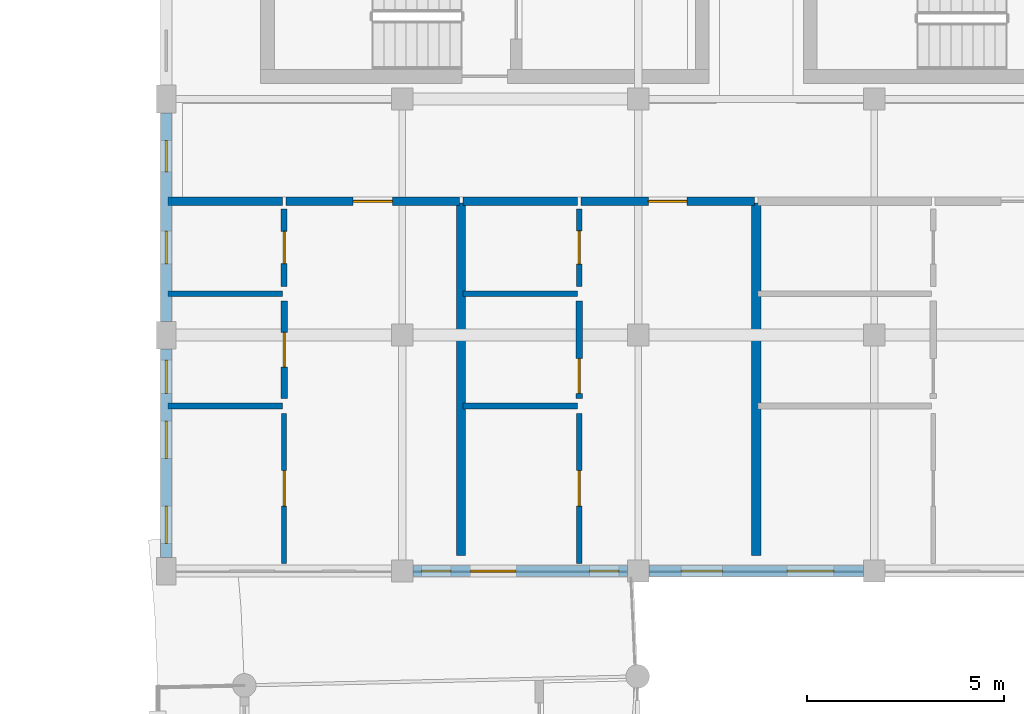
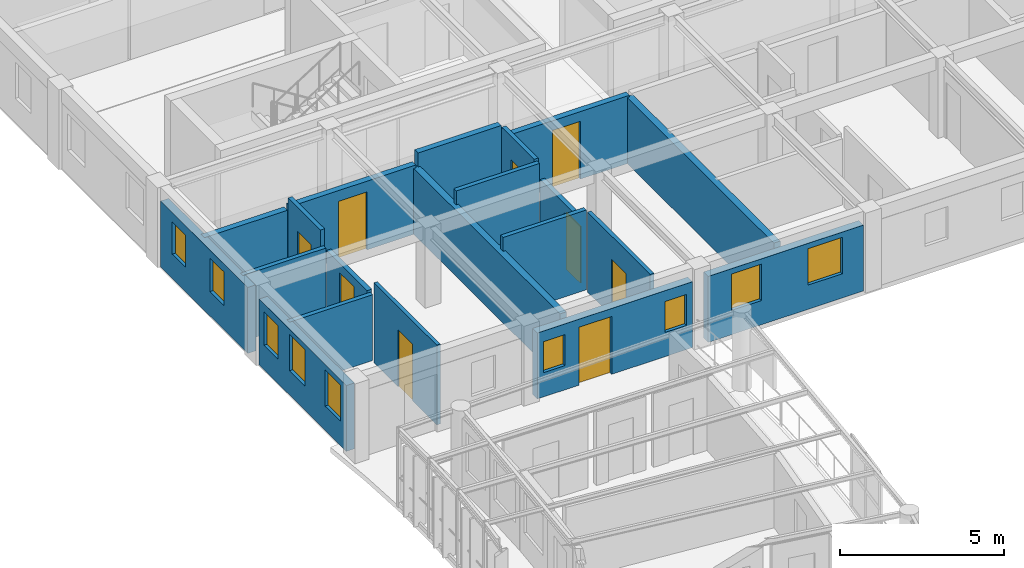
# One storey, part 68 of 101: 20 walls, 9 doors, 9 windows, 18 openings.
"""IFC4 building model written with IfcOpenShell, lengths in metres."""

import ifcopenshell
import ifcopenshell.guid

model = None  # the IFC model being written
_history = None  # IfcOwnerHistory: only IFC2X3 demands one
_inside = {}  # id of a spatial element -> (the spatial element, [elements in it])
_under = {}  # id of a project, library or spatial element -> (it, [spatial elements below it])
_declared = {}  # id of a project -> (the project, [libraries it declares])
_typed = {}  # id of a type object -> (the type object, [elements of that type])
_made_of = {}  # id of a material, layer set ... -> (it, [elements and type objects made of it])


def new_model(schema):
    """Start an empty IFC model of exactly this schema.

    Asked for "IFC4X3", IfcOpenShell would pick the latest addendum, in which some entities
    have other attributes; the version numbers below select the first issue.
    IFC2X3 requires an IfcOwnerHistory on every rooted entity: one is made here for all.
    """
    global model, _history
    if schema == "IFC4X3":
        model = ifcopenshell.file(schema_version=(4, 3, 0, 0))
    else:
        model = ifcopenshell.file(schema=schema)
    _inside.clear()
    _under.clear()
    _declared.clear()
    _typed.clear()
    _made_of.clear()
    _history = None
    if model.schema == "IFC2X3":
        org = make("IfcOrganization", Name="unknown")
        user = make(
            "IfcPersonAndOrganization",
            ThePerson=make("IfcPerson", FamilyName="unknown"),
            TheOrganization=org,
        )
        app = make(
            "IfcApplication",
            ApplicationDeveloper=org,
            Version="unknown",
            ApplicationFullName="unknown",
            ApplicationIdentifier="unknown",
        )
        _history = make(
            "IfcOwnerHistory",
            OwningUser=user,
            OwningApplication=app,
            ChangeAction="ADDED",
            CreationDate=0,
        )
    return model


def make(cls, **values):
    """One entity of the class cls with the attributes given. An attribute that is None is left unset."""
    return model.create_entity(
        cls, **{name: value for name, value in values.items() if value is not None}
    )


def rooted(cls, **values):
    """An entity with a GlobalId (a new one), such as an element, a storey or a relation."""
    return make(cls, GlobalId=ifcopenshell.guid.new(), OwnerHistory=_history, **values)


def si_unit(unit_type, name, prefix=None):
    """IfcSIUnit, for example si_unit("LENGTHUNIT", "METRE", prefix="MILLI")."""
    return make("IfcSIUnit", UnitType=unit_type, Prefix=prefix, Name=name)


def assignment(units):
    """IfcUnitAssignment: the units of a project."""
    return None if units is None else make("IfcUnitAssignment", Units=units)


def point(xyz):
    """IfcCartesianPoint."""
    return None if xyz is None else make("IfcCartesianPoint", Coordinates=xyz)


def direction(xyz):
    """IfcDirection."""
    return None if xyz is None else make("IfcDirection", DirectionRatios=xyz)


def frame(location, z_axis=None, x_axis=None):
    """IfcAxis2Placement3D, a coordinate frame: its origin and axes. An axis left out is left unset."""
    return make(
        "IfcAxis2Placement3D",
        Location=point(location),
        Axis=direction(z_axis),
        RefDirection=direction(x_axis),
    )


def frame_2d(location, x_axis=None):
    """IfcAxis2Placement2D, a coordinate frame in the plane: its origin and x axis."""
    return make(
        "IfcAxis2Placement2D", Location=point(location), RefDirection=direction(x_axis)
    )


def origin():
    """The frame at (0, 0, 0) with its axes left unset."""
    return frame((0.0, 0.0, 0.0))


def place(relative_to, where):
    """IfcLocalPlacement: puts the frame where relative to a parent placement (None: the world)."""
    return make(
        "IfcLocalPlacement", PlacementRelTo=relative_to, RelativePlacement=where
    )


def context(
    kind, dimensions, precision=None, world=None, true_north=None, identifier=None
):
    """IfcGeometricRepresentationContext, for example the 3D "Model" context."""
    return make(
        "IfcGeometricRepresentationContext",
        ContextIdentifier=identifier,
        ContextType=kind,
        CoordinateSpaceDimension=dimensions,
        Precision=precision,
        WorldCoordinateSystem=world,
        TrueNorth=true_north,
    )


def subcontext(parent, identifier, kind, view, scale=None):
    """IfcGeometricRepresentationSubContext, for example "Body" below "Model"."""
    return make(
        "IfcGeometricRepresentationSubContext",
        ContextIdentifier=identifier,
        ContextType=kind,
        ParentContext=parent,
        TargetScale=scale,
        TargetView=view,
    )


def project(units=None, contexts=None):
    """IfcProject with its units and contexts."""
    return rooted(
        "IfcProject",
        Name="project",
        RepresentationContexts=contexts,
        UnitsInContext=assignment(units),
    )


def spatial(cls, under=None, at=None, **own):
    """A site, building, storey or space (cls), placed at a placement, below another one or the project."""
    s = rooted(cls, ObjectPlacement=at, **own)
    if under is not None:
        _under.setdefault(under.id(), (under, []))[1].append(s)
    return s


def profile(cls, at=None, kind="AREA", **sizes):
    """A parametric profile (cls). Its sizes go by their IFC names, for example OverallWidth=200.0."""
    return make(cls, ProfileType=kind, Position=at, **sizes)


def rectangle(**sizes):
    """IfcRectangleProfileDef."""
    return profile("IfcRectangleProfileDef", **sizes)


def extrude(swept, where, along, depth):
    """IfcExtrudedAreaSolid: the profile swept, set in the frame where, extruded along a direction by depth."""
    return make(
        "IfcExtrudedAreaSolid",
        SweptArea=swept,
        Position=where,
        ExtrudedDirection=direction(along),
        Depth=depth,
    )


def shape(context_of_items, identifier, shape_type, items):
    """IfcShapeRepresentation: the items that make up one representation, for example the "Body"."""
    return make(
        "IfcShapeRepresentation",
        ContextOfItems=context_of_items,
        RepresentationIdentifier=identifier,
        RepresentationType=shape_type,
        Items=items,
    )


def material(Name=None, Category=None):
    """IfcMaterial."""
    return make("IfcMaterial", Name=Name, Category=Category)


def layer(
    of_material, thickness, ventilated=None, Name=None, Category=None, Priority=None
):
    """IfcMaterialLayer: one layer of a wall or slab, of a material (None: an air gap)."""
    return make(
        "IfcMaterialLayer",
        Material=of_material,
        LayerThickness=thickness,
        IsVentilated=ventilated,
        Name=Name,
        Category=Category,
        Priority=Priority,
    )


def layer_set(layers, Name=None):
    """IfcMaterialLayerSet."""
    return make("IfcMaterialLayerSet", MaterialLayers=layers, LayerSetName=Name)


def made_of(thing, what):
    """Note that an element or type object is made of a material, layer set ...; save() writes the relation."""
    if what is not None:
        _made_of.setdefault(what.id(), (what, []))[1].append(thing)
    return thing


def type_object(cls, material=None, **own):
    """A type object (cls), such as IfcWallType, which elements share."""
    return made_of(rooted(cls, **own), material)


def element(
    cls,
    number,
    at=None,
    inside=None,
    cuts=None,
    type_object=None,
    material=None,
    context=None,
    identifier="Body",
    shape_type=None,
    held_by="IfcProductDefinitionShape",
    body=None,
    shapes=None,
    **own,
):
    """One element of the class cls, such as IfcWall. Its Tag is "e" and its number.

    at: its placement. inside: the storey or other place that contains it. cuts: it is an
    opening in that element (IfcRelVoidsElement). A single representation is given by context,
    identifier, shape_type and body (its items); several are given by shapes. held_by: the class
    of the entity that holds the representations. save() writes the other relations.
    """
    e = rooted(cls, Tag="e%d" % number, ObjectPlacement=at, **own)
    if body is not None:
        shapes = [shape(context, identifier, shape_type, body)]
    if shapes is not None:
        e.Representation = make(held_by, Representations=shapes)
    if inside is not None:
        _inside.setdefault(inside.id(), (inside, []))[1].append(e)
    if cuts is not None:
        rooted(
            "IfcRelVoidsElement", RelatingBuildingElement=cuts, RelatedOpeningElement=e
        )
    if type_object is not None:
        _typed.setdefault(type_object.id(), (type_object, []))[1].append(e)
    return made_of(e, material)


def fill(opening, filler):
    """IfcRelFillsElement: the door or window that sits in an opening."""
    return rooted(
        "IfcRelFillsElement",
        RelatingOpeningElement=opening,
        RelatedBuildingElement=filler,
    )


def aggregate(whole, parts):
    """IfcRelAggregates: a whole, such as a stair, and the parts it consists of."""
    return rooted("IfcRelAggregates", RelatingObject=whole, RelatedObjects=parts)


def save(model, path):
    """Write the relations noted so far, then the file.

    IfcRelAggregates (storeys below a building ...), IfcRelContainedInSpatialStructure (elements
    in a storey), IfcRelDefinesByType, IfcRelAssociatesMaterial and IfcRelDeclares: one each for
    every whole, place, type object, material and project.
    """
    for whole, parts in _under.values():
        aggregate(whole, parts)
    for where, things in _inside.values():
        rooted(
            "IfcRelContainedInSpatialStructure",
            RelatedElements=things,
            RelatingStructure=where,
        )
    for kind, things in _typed.values():
        rooted("IfcRelDefinesByType", RelatedObjects=things, RelatingType=kind)
    for what, things in _made_of.values():
        rooted("IfcRelAssociatesMaterial", RelatedObjects=things, RelatingMaterial=what)
    for by, libraries in _declared.values():
        rooted("IfcRelDeclares", RelatingContext=by, RelatedDefinitions=libraries)
    model.write(path)


model = new_model("IFC4")

# Units and contexts
model_context = context("Model", 3, precision=1e-05, world=origin(), true_north=direction((0.0, 1.0)))
body_context = subcontext(model_context, "Body", "Model", "MODEL_VIEW")
ifc_project = project(units=[si_unit("LENGTHUNIT", "METRE"), si_unit("AREAUNIT", "SQUARE_METRE"), si_unit("VOLUMEUNIT", "CUBIC_METRE"), si_unit("PLANEANGLEUNIT", "RADIAN"), si_unit("MASSUNIT", "GRAM", prefix="KILO"), si_unit("POWERUNIT", "WATT"), si_unit("THERMODYNAMICTEMPERATUREUNIT", "KELVIN")], contexts=[model_context])

# Site, building, storey
site_placement = place(None, origin())
site = spatial("IfcSite", under=ifc_project, at=site_placement, CompositionType="ELEMENT")
building_placement = place(site_placement, origin())
building = spatial("IfcBuilding", under=site, at=building_placement, Name="Ruvembo Vaulted Housing Court", CompositionType="ELEMENT")
storey_placement = place(building_placement, frame((0.0, 0.0, 17.300048828125)))
storey = spatial("IfcBuildingStorey", under=building, at=storey_placement, Name="L05", CompositionType="ELEMENT", Elevation=17.300048828125)

# Wall
ifc_material_1 = material(Name="Concrete Blockwork 210", Category="masonry")
ifc_layer_1 = layer(ifc_material_1, 0.2099609375, Name="Concrete Blockwork 210")
ifc_layer_set_1 = layer_set([ifc_layer_1], Name="Concrete Blockwork 210")
wall_type_1 = type_object("IfcWallType", Name="WL-CORR-210", PredefinedType="SOLIDWALL", material=ifc_layer_set_1)
wall_1_placement = place(storey_placement, frame((48.0400390625, 87.39990234375, 0.0), z_axis=(0.0, 0.0, 1.0), x_axis=(1.0, 0.0, 0.0)))
element("IfcWall", 1, at=wall_1_placement, inside=storey, type_object=wall_type_1, Name="L05 Flat B-L05-S1 Corridor Wall WL-INT-L05-01433", PredefinedType="SOLIDWALL", context=body_context, shape_type="SweptSolid", body=[
    extrude(rectangle(XDim=2.919921875, YDim=0.2099609375, at=frame_2d((1.4599609375, 0.0))), origin(), (0.0, 0.0, 1.0), 2.447021484375),
])

# Wall, opening, door
wall_2_placement = place(storey_placement, frame((51.0400390625, 87.39990234375, 0.0), z_axis=(0.0, 0.0, 1.0), x_axis=(1.0, 0.0, 0.0)))
wall_2 = element("IfcWall", 2, at=wall_2_placement, inside=storey, type_object=wall_type_1, Name="L05 Flat B-L05-S1 Entrance WL-INT-L05-01434", PredefinedType="SOLIDWALL", context=body_context, shape_type="SweptSolid", body=[
    extrude(rectangle(XDim=4.419921875, YDim=0.2099609375, at=frame_2d((2.2099609375, 0.0))), origin(), (0.0, 0.0, 1.0), 2.5478515625),
])
opening_1_placement = place(wall_2_placement, frame((1.7099609375, 0.0, 0.0)))
opening_1 = element("IfcOpeningElement", 3, at=opening_1_placement, cuts=wall_2, Name="Opening FD1", PredefinedType="OPENING", context=body_context, shape_type="SweptSolid", body=[
    extrude(rectangle(XDim=1.0, YDim=2.14990234375, at=frame_2d((0.5, 1.074951171875))), frame((0.0, 0.114990234375, 0.0), z_axis=(0.0, -1.0, 0.0), x_axis=(1.0, 0.0, 0.0)), (0.0, 0.0, 1.0), 0.22998046875),
])
ifc_material_2 = material(Name="FSC Hardwood and Engineered Timber", Category="wood")
door_type_1 = type_object("IfcDoorType", Name="DR-FLAT-1000x2150", OperationType="NOTDEFINED", PredefinedType="DOOR", material=ifc_material_2)
door_1_placement = place(opening_1_placement, origin())
door_1 = element("IfcDoor", 4, at=door_1_placement, inside=storey, type_object=door_type_1, Name="L05 Flat B-L05-S1 Entrance Door DR-INT-L05-00807", OperationType="SINGLE_SWING_LEFT", OverallHeight=2.14990234375, OverallWidth=1.0, PredefinedType="DOOR", context=body_context, shape_type="SweptSolid", body=[
    extrude(rectangle(XDim=1.0, YDim=2.14990234375, at=frame_2d((0.5, 1.074951171875))), frame((0.0, 0.02490234375, 0.0), z_axis=(0.0, -1.0, 0.0), x_axis=(1.0, 0.0, 0.0)), (0.0, 0.0, 1.0), 0.050048828125),
])
fill(opening_1, door_1)

# Wall
wall_3_placement = place(storey_placement, frame((55.5400390625, 87.39990234375, 0.0), z_axis=(0.0, 0.0, 1.0), x_axis=(1.0, 0.0, 0.0)))
element("IfcWall", 5, at=wall_3_placement, inside=storey, type_object=wall_type_1, Name="L05 Flat B-L05-S2 Corridor Wall WL-INT-L05-01441", PredefinedType="SOLIDWALL", context=body_context, shape_type="SweptSolid", body=[
    extrude(rectangle(XDim=2.919921875, YDim=0.2099609375, at=frame_2d((1.4599609375, 0.0))), origin(), (0.0, 0.0, 1.0), 2.96484375),
])

# Wall, opening, door
wall_4_placement = place(storey_placement, frame((58.5400390625, 87.39990234375, 0.0), z_axis=(0.0, 0.0, 1.0), x_axis=(1.0, 0.0, 0.0)))
wall_4 = element("IfcWall", 6, at=wall_4_placement, inside=storey, type_object=wall_type_1, Name="L05 Flat B-L05-S2 Entrance WL-INT-L05-01442", PredefinedType="SOLIDWALL", context=body_context, shape_type="SweptSolid", body=[
    extrude(rectangle(XDim=4.419921875, YDim=0.2099609375, at=frame_2d((2.2099609375, 0.0))), origin(), (0.0, 0.0, 1.0), 2.508056640625),
])
opening_2_placement = place(wall_4_placement, frame((1.719970703125, 0.0, 0.0)))
opening_2 = element("IfcOpeningElement", 7, at=opening_2_placement, cuts=wall_4, Name="Opening FD2", PredefinedType="OPENING", context=body_context, shape_type="SweptSolid", body=[
    extrude(rectangle(XDim=0.97998046875, YDim=2.14990234375, at=frame_2d((0.489990234375, 1.074951171875))), frame((0.0, 0.114990234375, 0.0), z_axis=(0.0, -1.0, 0.0), x_axis=(1.0, 0.0, 0.0)), (0.0, 0.0, 1.0), 0.22998046875),
])
door_type_2 = type_object("IfcDoorType", Name="DR-FLAT-0980x2150", OperationType="NOTDEFINED", PredefinedType="DOOR", material=ifc_material_2)
door_2_placement = place(opening_2_placement, origin())
door_2 = element("IfcDoor", 8, at=door_2_placement, inside=storey, type_object=door_type_2, Name="L05 Flat B-L05-S2 Entrance Door DR-INT-L05-00811", OperationType="SINGLE_SWING_LEFT", OverallHeight=2.14990234375, OverallWidth=0.97998046875, PredefinedType="DOOR", context=body_context, shape_type="SweptSolid", body=[
    extrude(rectangle(XDim=0.97998046875, YDim=2.14990234375, at=frame_2d((0.489990234375, 1.074951171875))), frame((0.0, 0.02490234375, 0.0), z_axis=(0.0, -1.0, 0.0), x_axis=(1.0, 0.0, 0.0)), (0.0, 0.0, 1.0), 0.050048828125),
])
fill(opening_2, door_2)

# Walls
ifc_material_3 = material(Name="Acoustic Masonry Demising 230", Category="masonry")
ifc_layer_2 = layer(ifc_material_3, 0.22998046875, Name="Acoustic Masonry Demising 230")
ifc_layer_set_2 = layer_set([ifc_layer_2], Name="Acoustic Masonry Demising 230")
wall_type_2 = type_object("IfcWallType", Name="WL-DEM-230", PredefinedType="SOLIDWALL", material=ifc_layer_set_2)
for number, where, z_axis, x_axis, name in (
    (9, (55.5, 78.389892578125, 0.0), (0.0, 0.0, 1.0), (0.0, 1.0, 0.0), "L05 Demising B-L05-S1 WL-INT-L05-01432"),
    (10, (63.0, 78.389892578125, 0.0), (0.0, 0.0, 1.0), (0.0, 1.0, 0.0), "L05 Demising B-L05-S2 WL-INT-L05-01440"),
):
    element("IfcWall", number, at=place(storey_placement, frame(where, z_axis=z_axis, x_axis=x_axis)), inside=storey, type_object=wall_type_2, Name=name, PredefinedType="SOLIDWALL", context=body_context, shape_type="SweptSolid", body=[
        extrude(rectangle(XDim=8.97021484375, YDim=0.22998046875, at=frame_2d((4.485107421875, 0.0))), origin(), (0.0, 0.0, 1.0), 2.447021484375),
    ])

# Wall, openings, door, windows
ifc_material_4 = material(Name="Rendered Masonry 285", Category="masonry")
ifc_layer_3 = layer(ifc_material_4, 0.284912109375, Name="Rendered Masonry 285")
ifc_layer_set_3 = layer_set([ifc_layer_3], Name="Rendered Masonry 285")
wall_type_3 = type_object("IfcWallType", Name="WL-EXT-285", PredefinedType="STANDARD", material=ifc_layer_set_3)
wall_5_placement = place(storey_placement, frame((54.27490234375, 78.0, 0.0), z_axis=(0.0, 0.0, 1.0), x_axis=(1.0, 0.0, 0.0)))
wall_5 = element("IfcWall", 11, at=wall_5_placement, inside=storey, type_object=wall_type_3, Name="Block B L05 Exterior Wall COURTYARD #2", PredefinedType="STANDARD", context=body_context, shape_type="SweptSolid", body=[
    extrude(rectangle(XDim=5.4501953125, YDim=0.284912109375, at=frame_2d((2.72509765625, 0.0))), origin(), (0.0, 0.0, 1.0), 2.447021484375),
])
opening_3_placement = place(wall_5_placement, frame((1.465087890625, 0.0, 0.0)))
opening_3 = element("IfcOpeningElement", 12, at=opening_3_placement, cuts=wall_5, Name="Opening GD1", PredefinedType="OPENING", context=body_context, shape_type="SweptSolid", body=[
    extrude(rectangle(XDim=1.14990234375, YDim=2.14990234375, at=frame_2d((0.574951171875, 1.074951171875))), frame((0.0, 0.15234375, 0.0), z_axis=(0.0, -1.0, 0.0), x_axis=(1.0, 0.0, 0.0)), (0.0, 0.0, 1.0), 0.304931640625),
])
opening_4_placement = place(wall_5_placement, frame((0.217529296875, 0.0, 0.89990234375)))
opening_4 = element("IfcOpeningElement", 13, at=opening_4_placement, cuts=wall_5, Name="Opening W01", PredefinedType="OPENING", context=body_context, shape_type="SweptSolid", body=[
    extrude(rectangle(XDim=0.75, YDim=1.14990234375, at=frame_2d((0.375, 0.574951171875))), frame((0.0, 0.15234375, 0.0), z_axis=(0.0, -1.0, 0.0), x_axis=(1.0, 0.0, 0.0)), (0.0, 0.0, 1.0), 0.304931640625),
])
opening_5_placement = place(wall_5_placement, frame((4.482421875, 0.0, 0.89990234375)))
opening_5 = element("IfcOpeningElement", 14, at=opening_5_placement, cuts=wall_5, Name="Opening W01", PredefinedType="OPENING", context=body_context, shape_type="SweptSolid", body=[
    extrude(rectangle(XDim=0.75, YDim=1.14990234375, at=frame_2d((0.375, 0.574951171875))), frame((0.0, 0.15234375, 0.0), z_axis=(0.0, -1.0, 0.0), x_axis=(1.0, 0.0, 0.0)), (0.0, 0.0, 1.0), 0.304931640625),
])
ifc_material_5 = material(Name="Thermally Broken Glazed Aluminium", Category="aluminium")
door_type_3 = type_object("IfcDoorType", Name="DR-GAL-1150x2150", OperationType="NOTDEFINED", PredefinedType="DOOR", material=ifc_material_5)
door_3_placement = place(opening_3_placement, frame((1.14990234375, 0.0, 0.0), z_axis=(0.0, 0.0, 1.0), x_axis=(-1.0, 0.0, 0.0)))
door_3 = element("IfcDoor", 15, at=door_3_placement, inside=storey, type_object=door_type_3, Name="Block B L05 Terrace or Gallery Door DR-TER-B-L05-044", OperationType="SINGLE_SWING_LEFT", OverallHeight=2.14990234375, OverallWidth=1.14990234375, PredefinedType="DOOR", context=body_context, shape_type="SweptSolid", body=[
    extrude(rectangle(XDim=1.14990234375, YDim=2.14990234375, at=frame_2d((0.574951171875, 1.074951171875))), frame((0.0, 0.02490234375, 0.0), z_axis=(0.0, -1.0, 0.0), x_axis=(1.0, 0.0, 0.0)), (0.0, 0.0, 1.0), 0.050048828125),
])
fill(opening_3, door_3)
ifc_material_6 = material(Name="Double Solar-Control Glazing in Aluminium Frame", Category="aluminium")
window_type_1 = type_object("IfcWindowType", Name="WIN-0750x1150", PartitioningType="SINGLE_PANEL", PredefinedType="WINDOW", material=ifc_material_6)
window_1_placement = place(opening_4_placement, origin())
window_1 = element("IfcWindow", 16, at=window_1_placement, inside=storey, type_object=window_type_1, Name="Block B L05 Window #812", OverallHeight=1.14990234375, OverallWidth=0.75, PartitioningType="SINGLE_PANEL", PredefinedType="WINDOW", context=body_context, shape_type="SweptSolid", body=[
    extrude(rectangle(XDim=0.75, YDim=1.14990234375, at=frame_2d((0.375, 0.574951171875))), frame((0.0, 0.030029296875, 0.0), z_axis=(0.0, -1.0, 0.0), x_axis=(1.0, 0.0, 0.0)), (0.0, 0.0, 1.0), 0.06005859375),
])
fill(opening_4, window_1)
window_2_placement = place(opening_5_placement, origin())
window_2 = element("IfcWindow", 17, at=window_2_placement, inside=storey, type_object=window_type_1, Name="Block B L05 Window #813", OverallHeight=1.14990234375, OverallWidth=0.75, PartitioningType="SINGLE_PANEL", PredefinedType="WINDOW", context=body_context, shape_type="SweptSolid", body=[
    extrude(rectangle(XDim=0.75, YDim=1.14990234375, at=frame_2d((0.375, 0.574951171875))), frame((0.0, 0.030029296875, 0.0), z_axis=(0.0, -1.0, 0.0), x_axis=(1.0, 0.0, 0.0)), (0.0, 0.0, 1.0), 0.06005859375),
])
fill(opening_5, window_2)

# Wall, openings, windows
wall_6_placement = place(storey_placement, frame((60.27490234375, 78.0, 0.0), z_axis=(0.0, 0.0, 1.0), x_axis=(1.0, 0.0, 0.0)))
wall_6 = element("IfcWall", 18, at=wall_6_placement, inside=storey, type_object=wall_type_3, Name="Block B L05 Exterior Wall COURTYARD #3", PredefinedType="STANDARD", context=body_context, shape_type="SweptSolid", body=[
    extrude(rectangle(XDim=5.4501953125, YDim=0.284912109375, at=frame_2d((2.72509765625, 0.0))), origin(), (0.0, 0.0, 1.0), 2.447021484375),
])
opening_6_placement = place(wall_6_placement, frame((0.8173828125, 0.0, 0.89990234375)))
opening_6 = element("IfcOpeningElement", 19, at=opening_6_placement, cuts=wall_6, Name="Opening W09", PredefinedType="OPENING", context=body_context, shape_type="SweptSolid", body=[
    extrude(rectangle(XDim=1.050048828125, YDim=1.35009765625, at=frame_2d((0.52490234375, 0.675048828125))), frame((0.0, 0.15234375, 0.0), z_axis=(0.0, -1.0, 0.0), x_axis=(1.0, 0.0, 0.0)), (0.0, 0.0, 1.0), 0.304931640625),
])
opening_7_placement = place(wall_6_placement, frame((3.507568359375, 0.0, 0.89990234375)))
opening_7 = element("IfcOpeningElement", 20, at=opening_7_placement, cuts=wall_6, Name="Opening W12", PredefinedType="OPENING", context=body_context, shape_type="SweptSolid", body=[
    extrude(rectangle(XDim=1.199951171875, YDim=1.35009765625, at=frame_2d((0.60009765625, 0.675048828125))), frame((0.0, 0.15234375, 0.0), z_axis=(0.0, -1.0, 0.0), x_axis=(1.0, 0.0, 0.0)), (0.0, 0.0, 1.0), 0.304931640625),
])
window_type_2 = type_object("IfcWindowType", Name="WIN-1050x1350", PartitioningType="SINGLE_PANEL", PredefinedType="WINDOW", material=ifc_material_6)
window_3_placement = place(opening_6_placement, origin())
window_3 = element("IfcWindow", 21, at=window_3_placement, inside=storey, type_object=window_type_2, Name="Block B L05 Window #814", OverallHeight=1.35009765625, OverallWidth=1.050048828125, PartitioningType="SINGLE_PANEL", PredefinedType="WINDOW", context=body_context, shape_type="SweptSolid", body=[
    extrude(rectangle(XDim=1.050048828125, YDim=1.35009765625, at=frame_2d((0.52490234375, 0.675048828125))), frame((0.0, 0.030029296875, 0.0), z_axis=(0.0, -1.0, 0.0), x_axis=(1.0, 0.0, 0.0)), (0.0, 0.0, 1.0), 0.06005859375),
])
fill(opening_6, window_3)
window_type_3 = type_object("IfcWindowType", Name="WIN-1200x1350", PartitioningType="SINGLE_PANEL", PredefinedType="WINDOW", material=ifc_material_6)
window_4_placement = place(opening_7_placement, origin())
window_4 = element("IfcWindow", 22, at=window_4_placement, inside=storey, type_object=window_type_3, Name="Block B L05 Window #815", OverallHeight=1.35009765625, OverallWidth=1.199951171875, PartitioningType="SINGLE_PANEL", PredefinedType="WINDOW", context=body_context, shape_type="SweptSolid", body=[
    extrude(rectangle(XDim=1.199951171875, YDim=1.35009765625, at=frame_2d((0.60009765625, 0.675048828125))), frame((0.0, 0.030029296875, 0.0), z_axis=(0.0, -1.0, 0.0), x_axis=(1.0, 0.0, 0.0)), (0.0, 0.0, 1.0), 0.06005859375),
])
fill(opening_7, window_4)

wall_7_placement = place(storey_placement, frame((48.0, 89.64990234375, 0.0), z_axis=(0.0, 0.0, 1.0), x_axis=(0.0, -1.0, 0.0)))
wall_7 = element("IfcWall", 23, at=wall_7_placement, inside=storey, type_object=wall_type_3, Name="Block B L05 Exterior Wall WEST #5", PredefinedType="STANDARD", context=body_context, shape_type="SweptSolid", body=[
    extrude(rectangle(XDim=5.2998046875, YDim=0.284912109375, at=frame_2d((2.64990234375, 0.0))), origin(), (0.0, 0.0, 1.0), 2.447021484375),
])
opening_8_placement = place(wall_7_placement, frame((0.705078125, 0.0, 0.89990234375)))
opening_8 = element("IfcOpeningElement", 24, at=opening_8_placement, cuts=wall_7, Name="Opening W02", PredefinedType="OPENING", context=body_context, shape_type="SweptSolid", body=[
    extrude(rectangle(XDim=0.800048828125, YDim=1.199951171875, at=frame_2d((0.39990234375, 0.60009765625))), frame((0.0, 0.15234375, 0.0), z_axis=(0.0, -1.0, 0.0), x_axis=(1.0, 0.0, 0.0)), (0.0, 0.0, 1.0), 0.304931640625),
])
opening_9_placement = place(wall_7_placement, frame((3.0, 0.0, 0.89990234375)))
opening_9 = element("IfcOpeningElement", 25, at=opening_9_placement, cuts=wall_7, Name="Opening W03", PredefinedType="OPENING", context=body_context, shape_type="SweptSolid", body=[
    extrude(rectangle(XDim=0.85009765625, YDim=1.25, at=frame_2d((0.425048828125, 0.625))), frame((0.0, 0.15234375, 0.0), z_axis=(0.0, -1.0, 0.0), x_axis=(1.0, 0.0, 0.0)), (0.0, 0.0, 1.0), 0.304931640625),
])
window_type_4 = type_object("IfcWindowType", Name="WIN-0800x1200", PartitioningType="SINGLE_PANEL", PredefinedType="WINDOW", material=ifc_material_6)
window_5_placement = place(opening_8_placement, origin())
window_5 = element("IfcWindow", 26, at=window_5_placement, inside=storey, type_object=window_type_4, Name="Block B L05 Window #852", OverallHeight=1.199951171875, OverallWidth=0.800048828125, PartitioningType="SINGLE_PANEL", PredefinedType="WINDOW", context=body_context, shape_type="SweptSolid", body=[
    extrude(rectangle(XDim=0.800048828125, YDim=1.199951171875, at=frame_2d((0.39990234375, 0.60009765625))), frame((0.0, 0.030029296875, 0.0), z_axis=(0.0, -1.0, 0.0), x_axis=(1.0, 0.0, 0.0)), (0.0, 0.0, 1.0), 0.06005859375),
])
fill(opening_8, window_5)
window_type_5 = type_object("IfcWindowType", Name="WIN-0850x1250", PartitioningType="SINGLE_PANEL", PredefinedType="WINDOW", material=ifc_material_6)
window_6_placement = place(opening_9_placement, origin())
window_6 = element("IfcWindow", 27, at=window_6_placement, inside=storey, type_object=window_type_5, Name="Block B L05 Window #853", OverallHeight=1.25, OverallWidth=0.85009765625, PartitioningType="SINGLE_PANEL", PredefinedType="WINDOW", context=body_context, shape_type="SweptSolid", body=[
    extrude(rectangle(XDim=0.85009765625, YDim=1.25, at=frame_2d((0.425048828125, 0.625))), frame((0.0, 0.030029296875, 0.0), z_axis=(0.0, -1.0, 0.0), x_axis=(1.0, 0.0, 0.0)), (0.0, 0.0, 1.0), 0.06005859375),
])
fill(opening_9, window_6)

wall_8_placement = place(storey_placement, frame((48.0, 83.64990234375, 0.0), z_axis=(0.0, 0.0, 1.0), x_axis=(0.0, -1.0, 0.0)))
wall_8 = element("IfcWall", 28, at=wall_8_placement, inside=storey, type_object=wall_type_3, Name="Block B L05 Exterior Wall WEST #6", PredefinedType="STANDARD", context=body_context, shape_type="SweptSolid", body=[
    extrude(rectangle(XDim=5.2998046875, YDim=0.284912109375, at=frame_2d((2.64990234375, 0.0))), origin(), (0.0, 0.0, 1.0), 2.447021484375),
])
opening_10_placement = place(wall_8_placement, frame((0.280029296875, 0.0, 0.89990234375)))
opening_10 = element("IfcOpeningElement", 29, at=opening_10_placement, cuts=wall_8, Name="Opening W03", PredefinedType="OPENING", context=body_context, shape_type="SweptSolid", body=[
    extrude(rectangle(XDim=0.85009765625, YDim=1.25, at=frame_2d((0.425048828125, 0.625))), frame((0.0, 0.15234375, 0.0), z_axis=(0.0, -1.0, 0.0), x_axis=(1.0, 0.0, 0.0)), (0.0, 0.0, 1.0), 0.304931640625),
])
opening_11_placement = place(wall_8_placement, frame((1.840087890625, 0.0, 0.89990234375)))
opening_11 = element("IfcOpeningElement", 30, at=opening_11_placement, cuts=wall_8, Name="Opening W07", PredefinedType="OPENING", context=body_context, shape_type="SweptSolid", body=[
    extrude(rectangle(XDim=0.949951171875, YDim=1.35009765625, at=frame_2d((0.47509765625, 0.675048828125))), frame((0.0, 0.15234375, 0.0), z_axis=(0.0, -1.0, 0.0), x_axis=(1.0, 0.0, 0.0)), (0.0, 0.0, 1.0), 0.304931640625),
])
opening_12_placement = place(wall_8_placement, frame((4.0, 0.0, 0.89990234375)))
opening_12 = element("IfcOpeningElement", 31, at=opening_12_placement, cuts=wall_8, Name="Opening W07", PredefinedType="OPENING", context=body_context, shape_type="SweptSolid", body=[
    extrude(rectangle(XDim=0.949951171875, YDim=1.35009765625, at=frame_2d((0.47509765625, 0.675048828125))), frame((0.0, 0.15234375, 0.0), z_axis=(0.0, -1.0, 0.0), x_axis=(1.0, 0.0, 0.0)), (0.0, 0.0, 1.0), 0.304931640625),
])
window_7_placement = place(opening_10_placement, origin())
window_7 = element("IfcWindow", 32, at=window_7_placement, inside=storey, type_object=window_type_5, Name="Block B L05 Window #854", OverallHeight=1.25, OverallWidth=0.85009765625, PartitioningType="SINGLE_PANEL", PredefinedType="WINDOW", context=body_context, shape_type="SweptSolid", body=[
    extrude(rectangle(XDim=0.85009765625, YDim=1.25, at=frame_2d((0.425048828125, 0.625))), frame((0.0, 0.030029296875, 0.0), z_axis=(0.0, -1.0, 0.0), x_axis=(1.0, 0.0, 0.0)), (0.0, 0.0, 1.0), 0.06005859375),
])
fill(opening_10, window_7)
window_type_6 = type_object("IfcWindowType", Name="WIN-0950x1350", PartitioningType="SINGLE_PANEL", PredefinedType="WINDOW", material=ifc_material_6)
window_8_placement = place(opening_11_placement, origin())
window_8 = element("IfcWindow", 33, at=window_8_placement, inside=storey, type_object=window_type_6, Name="Block B L05 Window #855", OverallHeight=1.35009765625, OverallWidth=0.949951171875, PartitioningType="SINGLE_PANEL", PredefinedType="WINDOW", context=body_context, shape_type="SweptSolid", body=[
    extrude(rectangle(XDim=0.949951171875, YDim=1.35009765625, at=frame_2d((0.47509765625, 0.675048828125))), frame((0.0, 0.030029296875, 0.0), z_axis=(0.0, -1.0, 0.0), x_axis=(1.0, 0.0, 0.0)), (0.0, 0.0, 1.0), 0.06005859375),
])
fill(opening_11, window_8)
window_9_placement = place(opening_12_placement, origin())
window_9 = element("IfcWindow", 34, at=window_9_placement, inside=storey, type_object=window_type_6, Name="Block B L05 Window #856", OverallHeight=1.35009765625, OverallWidth=0.949951171875, PartitioningType="SINGLE_PANEL", PredefinedType="WINDOW", context=body_context, shape_type="SweptSolid", body=[
    extrude(rectangle(XDim=0.949951171875, YDim=1.35009765625, at=frame_2d((0.47509765625, 0.675048828125))), frame((0.0, 0.030029296875, 0.0), z_axis=(0.0, -1.0, 0.0), x_axis=(1.0, 0.0, 0.0)), (0.0, 0.0, 1.0), 0.06005859375),
])
fill(opening_12, window_9)

# Wall, opening, door
ifc_material_7 = material(Name="Plasterboard Stud Partition 125", Category="gypsum")
ifc_layer_4 = layer(ifc_material_7, 0.125, Name="Plasterboard Stud Partition 125")
ifc_layer_set_4 = layer_set([ifc_layer_4], Name="Plasterboard Stud Partition 125")
wall_type_4 = type_object("IfcWallType", Name="WL-PART-125", PredefinedType="PARTITIONING", material=ifc_layer_set_4)
wall_9_placement = place(storey_placement, frame((51.0, 78.18994140625, 0.0), z_axis=(0.0, 0.0, 1.0), x_axis=(0.0, 1.0, 0.0)))
wall_9 = element("IfcWall", 35, at=wall_9_placement, inside=storey, type_object=wall_type_4, Name="L05 Flat B-L05-S1 Bedroom 1 WL-INT-L05-01435", PredefinedType="PARTITIONING", context=body_context, shape_type="SweptSolid", body=[
    extrude(rectangle(XDim=3.820068359375, YDim=0.125, at=frame_2d((1.91015625, 0.0))), origin(), (0.0, 0.0, 1.0), 2.96484375),
])
opening_13_placement = place(wall_9_placement, frame((1.4599609375, 0.0, 0.0)))
opening_13 = element("IfcOpeningElement", 36, at=opening_13_placement, cuts=wall_9, Name="Opening ID1", PredefinedType="OPENING", context=body_context, shape_type="SweptSolid", body=[
    extrude(rectangle(XDim=0.89990234375, YDim=2.10009765625, at=frame_2d((0.449951171875, 1.050048828125))), frame((0.0, 0.072509765625, 0.0), z_axis=(0.0, -1.0, 0.0), x_axis=(1.0, 0.0, 0.0)), (0.0, 0.0, 1.0), 0.14501953125),
])
door_type_4 = type_object("IfcDoorType", Name="DR-ROOM-0900x2100", OperationType="NOTDEFINED", PredefinedType="DOOR", material=ifc_material_2)
door_4_placement = place(opening_13_placement, origin())
door_4 = element("IfcDoor", 37, at=door_4_placement, inside=storey, type_object=door_type_4, Name="L05 Flat B-L05-S1 Bedroom 1 Door DR-INT-L05-00808", OperationType="SINGLE_SWING_RIGHT", OverallHeight=2.10009765625, OverallWidth=0.89990234375, PredefinedType="DOOR", context=body_context, shape_type="SweptSolid", body=[
    extrude(rectangle(XDim=0.89990234375, YDim=2.10009765625, at=frame_2d((0.449951171875, 1.050048828125))), frame((0.0, 0.02490234375, 0.0), z_axis=(0.0, -1.0, 0.0), x_axis=(1.0, 0.0, 0.0)), (0.0, 0.0, 1.0), 0.050048828125),
])
fill(opening_13, door_4)

ifc_material_8 = material(Name="Acoustic Stud Partition 135", Category="gypsum")
ifc_layer_5 = layer(ifc_material_8, 0.135009765625, Name="Acoustic Stud Partition 135")
ifc_layer_set_5 = layer_set([ifc_layer_5], Name="Acoustic Stud Partition 135")
wall_type_5 = type_object("IfcWallType", Name="WL-PART-135", PredefinedType="PARTITIONING", material=ifc_layer_set_5)
wall_10_placement = place(storey_placement, frame((58.5, 78.18994140625, 0.0), z_axis=(0.0, 0.0, 1.0), x_axis=(0.0, 1.0, 0.0)))
wall_10 = element("IfcWall", 38, at=wall_10_placement, inside=storey, type_object=wall_type_5, Name="L05 Flat B-L05-S2 Bedroom 1 WL-INT-L05-01443", PredefinedType="PARTITIONING", context=body_context, shape_type="SweptSolid", body=[
    extrude(rectangle(XDim=3.820068359375, YDim=0.135009765625, at=frame_2d((1.91015625, 0.0))), origin(), (0.0, 0.0, 1.0), 2.96484375),
])
opening_14_placement = place(wall_10_placement, frame((1.4599609375, 0.0, 0.0)))
opening_14 = element("IfcOpeningElement", 39, at=opening_14_placement, cuts=wall_10, Name="Opening ID1", PredefinedType="OPENING", context=body_context, shape_type="SweptSolid", body=[
    extrude(rectangle(XDim=0.89990234375, YDim=2.10009765625, at=frame_2d((0.449951171875, 1.050048828125))), frame((0.0, 0.077392578125, 0.0), z_axis=(0.0, -1.0, 0.0), x_axis=(1.0, 0.0, 0.0)), (0.0, 0.0, 1.0), 0.155029296875),
])
door_5_placement = place(opening_14_placement, origin())
door_5 = element("IfcDoor", 40, at=door_5_placement, inside=storey, type_object=door_type_4, Name="L05 Flat B-L05-S2 Bedroom 1 Door DR-INT-L05-00812", OperationType="SINGLE_SWING_RIGHT", OverallHeight=2.10009765625, OverallWidth=0.89990234375, PredefinedType="DOOR", context=body_context, shape_type="SweptSolid", body=[
    extrude(rectangle(XDim=0.89990234375, YDim=2.10009765625, at=frame_2d((0.449951171875, 1.050048828125))), frame((0.0, 0.02490234375, 0.0), z_axis=(0.0, -1.0, 0.0), x_axis=(1.0, 0.0, 0.0)), (0.0, 0.0, 1.0), 0.050048828125),
])
fill(opening_14, door_5)

ifc_material_9 = material(Name="Moisture-Resistant Wet Partition 150", Category="gypsum")
ifc_layer_6 = layer(ifc_material_9, 0.14990234375, Name="Moisture-Resistant Wet Partition 150")
ifc_layer_set_6 = layer_set([ifc_layer_6], Name="Moisture-Resistant Wet Partition 150")
wall_type_6 = type_object("IfcWallType", Name="WL-PART-150", PredefinedType="PARTITIONING", material=ifc_layer_set_6)
wall_11_placement = place(storey_placement, frame((51.0, 85.239990234375, 0.0), z_axis=(0.0, 0.0, 1.0), x_axis=(0.0, 1.0, 0.0)))
wall_11 = element("IfcWall", 41, at=wall_11_placement, inside=storey, type_object=wall_type_6, Name="L05 Flat B-L05-S1 Bathroom WL-INT-L05-01437", PredefinedType="PARTITIONING", context=body_context, shape_type="SweptSolid", body=[
    extrude(rectangle(XDim=1.969970703125, YDim=0.14990234375, at=frame_2d((0.98486328125, 0.0))), origin(), (0.0, 0.0, 1.0), 2.96484375),
])
opening_15_placement = place(wall_11_placement, frame((0.574951171875, 0.0, 0.0)))
opening_15 = element("IfcOpeningElement", 42, at=opening_15_placement, cuts=wall_11, Name="Opening ID4", PredefinedType="OPENING", context=body_context, shape_type="SweptSolid", body=[
    extrude(rectangle(XDim=0.820068359375, YDim=2.080078125, at=frame_2d((0.41015625, 1.0400390625))), frame((0.0, 0.0849609375, 0.0), z_axis=(0.0, -1.0, 0.0), x_axis=(1.0, 0.0, 0.0)), (0.0, 0.0, 1.0), 0.169921875),
])
door_type_5 = type_object("IfcDoorType", Name="DR-WET-0820x2080", OperationType="NOTDEFINED", PredefinedType="DOOR", material=ifc_material_2)
door_6_placement = place(opening_15_placement, origin())
door_6 = element("IfcDoor", 43, at=door_6_placement, inside=storey, type_object=door_type_5, Name="L05 Flat B-L05-S1 Bathroom Door DR-INT-L05-00810", OperationType="SINGLE_SWING_RIGHT", OverallHeight=2.080078125, OverallWidth=0.820068359375, PredefinedType="DOOR", context=body_context, shape_type="SweptSolid", body=[
    extrude(rectangle(XDim=0.820068359375, YDim=2.080078125, at=frame_2d((0.41015625, 1.0400390625))), frame((0.0, 0.02490234375, 0.0), z_axis=(0.0, -1.0, 0.0), x_axis=(1.0, 0.0, 0.0)), (0.0, 0.0, 1.0), 0.050048828125),
])
fill(opening_15, door_6)

# Walls
for number, where, z_axis, x_axis, name in (
    (44, (48.0400390625, 82.199951171875, 0.0), (0.0, 0.0, 1.0), (1.0, 0.0, 0.0), "L05 Flat B-L05-S1 Wet Wall 1 WL-INT-L05-01438"),
    (45, (48.0400390625, 85.050048828125, 0.0), (0.0, 0.0, 1.0), (1.0, 0.0, 0.0), "L05 Flat B-L05-S1 Wet Wall 2 WL-INT-L05-01439"),
):
    element("IfcWall", number, at=place(storey_placement, frame(where, z_axis=z_axis, x_axis=x_axis)), inside=storey, type_object=wall_type_6, Name=name, PredefinedType="PARTITIONING", context=body_context, shape_type="SweptSolid", body=[
        extrude(rectangle(XDim=2.919921875, YDim=0.14990234375, at=frame_2d((1.4599609375, 0.0))), origin(), (0.0, 0.0, 1.0), 2.447021484375),
    ])

# Wall, opening, door
wall_12_placement = place(storey_placement, frame((58.5, 85.239990234375, 0.0), z_axis=(0.0, 0.0, 1.0), x_axis=(0.0, 1.0, 0.0)))
wall_12 = element("IfcWall", 46, at=wall_12_placement, inside=storey, type_object=wall_type_6, Name="L05 Flat B-L05-S2 Bathroom WL-INT-L05-01445", PredefinedType="PARTITIONING", context=body_context, shape_type="SweptSolid", body=[
    extrude(rectangle(XDim=1.969970703125, YDim=0.14990234375, at=frame_2d((0.98486328125, 0.0))), origin(), (0.0, 0.0, 1.0), 2.96484375),
])
opening_16_placement = place(wall_12_placement, frame((0.56005859375, 0.0, 0.0)))
opening_16 = element("IfcOpeningElement", 47, at=opening_16_placement, cuts=wall_12, Name="Opening ID2", PredefinedType="OPENING", context=body_context, shape_type="SweptSolid", body=[
    extrude(rectangle(XDim=0.85009765625, YDim=2.10009765625, at=frame_2d((0.425048828125, 1.050048828125))), frame((0.0, 0.0849609375, 0.0), z_axis=(0.0, -1.0, 0.0), x_axis=(1.0, 0.0, 0.0)), (0.0, 0.0, 1.0), 0.169921875),
])
door_type_6 = type_object("IfcDoorType", Name="DR-WET-0850x2100", OperationType="NOTDEFINED", PredefinedType="DOOR", material=ifc_material_2)
door_7_placement = place(opening_16_placement, origin())
door_7 = element("IfcDoor", 48, at=door_7_placement, inside=storey, type_object=door_type_6, Name="L05 Flat B-L05-S2 Bathroom Door DR-INT-L05-00814", OperationType="SINGLE_SWING_RIGHT", OverallHeight=2.10009765625, OverallWidth=0.85009765625, PredefinedType="DOOR", context=body_context, shape_type="SweptSolid", body=[
    extrude(rectangle(XDim=0.85009765625, YDim=2.10009765625, at=frame_2d((0.425048828125, 1.050048828125))), frame((0.0, 0.02490234375, 0.0), z_axis=(0.0, -1.0, 0.0), x_axis=(1.0, 0.0, 0.0)), (0.0, 0.0, 1.0), 0.050048828125),
])
fill(opening_16, door_7)

# Walls
for number, where, z_axis, x_axis, name in (
    (49, (55.5400390625, 82.199951171875, 0.0), (0.0, 0.0, 1.0), (1.0, 0.0, 0.0), "L05 Flat B-L05-S2 Wet Wall 1 WL-INT-L05-01446"),
    (50, (55.5400390625, 85.050048828125, 0.0), (0.0, 0.0, 1.0), (1.0, 0.0, 0.0), "L05 Flat B-L05-S2 Wet Wall 2 WL-INT-L05-01447"),
):
    element("IfcWall", number, at=place(storey_placement, frame(where, z_axis=z_axis, x_axis=x_axis)), inside=storey, type_object=wall_type_6, Name=name, PredefinedType="PARTITIONING", context=body_context, shape_type="SweptSolid", body=[
        extrude(rectangle(XDim=2.919921875, YDim=0.14990234375, at=frame_2d((1.4599609375, 0.0))), origin(), (0.0, 0.0, 1.0), 2.96484375),
    ])

# Wall, opening, door
ifc_material_10 = material(Name="Acoustic Service Chase Wall 160", Category="gypsum")
ifc_layer_7 = layer(ifc_material_10, 0.159912109375, Name="Acoustic Service Chase Wall 160")
ifc_layer_set_7 = layer_set([ifc_layer_7], Name="Acoustic Service Chase Wall 160")
wall_type_7 = type_object("IfcWallType", Name="WL-PLUMB-160", PredefinedType="PLUMBINGWALL", material=ifc_layer_set_7)
wall_13_placement = place(storey_placement, frame((51.0, 82.389892578125, 0.0), z_axis=(0.0, 0.0, 1.0), x_axis=(0.0, 1.0, 0.0)))
wall_13 = element("IfcWall", 51, at=wall_13_placement, inside=storey, type_object=wall_type_7, Name="L05 Flat B-L05-S1 Kitchen WL-INT-L05-01436", PredefinedType="PLUMBINGWALL", context=body_context, shape_type="SweptSolid", body=[
    extrude(rectangle(XDim=2.47021484375, YDim=0.159912109375, at=frame_2d((1.235107421875, 0.0))), origin(), (0.0, 0.0, 1.0), 2.447021484375),
])
opening_17_placement = place(wall_13_placement, frame((0.794921875, 0.0, 0.0)))
opening_17 = element("IfcOpeningElement", 52, at=opening_17_placement, cuts=wall_13, Name="Opening ID3", PredefinedType="OPENING", context=body_context, shape_type="SweptSolid", body=[
    extrude(rectangle(XDim=0.8798828125, YDim=2.10009765625, at=frame_2d((0.43994140625, 1.050048828125))), frame((0.0, 0.08984375, 0.0), z_axis=(0.0, -1.0, 0.0), x_axis=(1.0, 0.0, 0.0)), (0.0, 0.0, 1.0), 0.179931640625),
])
door_type_7 = type_object("IfcDoorType", Name="DR-ROOM-0880x2100", OperationType="NOTDEFINED", PredefinedType="DOOR", material=ifc_material_2)
door_8_placement = place(opening_17_placement, origin())
door_8 = element("IfcDoor", 53, at=door_8_placement, inside=storey, type_object=door_type_7, Name="L05 Flat B-L05-S1 Kitchen Door DR-INT-L05-00809", OperationType="SINGLE_SWING_LEFT", OverallHeight=2.10009765625, OverallWidth=0.8798828125, PredefinedType="DOOR", context=body_context, shape_type="SweptSolid", body=[
    extrude(rectangle(XDim=0.8798828125, YDim=2.10009765625, at=frame_2d((0.43994140625, 1.050048828125))), frame((0.0, 0.02490234375, 0.0), z_axis=(0.0, -1.0, 0.0), x_axis=(1.0, 0.0, 0.0)), (0.0, 0.0, 1.0), 0.050048828125),
])
fill(opening_17, door_8)

wall_14_placement = place(storey_placement, frame((58.5, 82.389892578125, 0.0), z_axis=(0.0, 0.0, 1.0), x_axis=(0.0, 1.0, 0.0)))
wall_14 = element("IfcWall", 54, at=wall_14_placement, inside=storey, type_object=wall_type_7, Name="L05 Flat B-L05-S2 Kitchen WL-INT-L05-01444", PredefinedType="PLUMBINGWALL", context=body_context, shape_type="SweptSolid", body=[
    extrude(rectangle(XDim=2.47021484375, YDim=0.159912109375, at=frame_2d((1.235107421875, 0.0))), origin(), (0.0, 0.0, 1.0), 2.447021484375),
])
opening_18_placement = place(wall_14_placement, frame((0.1298828125, 0.0, 0.0)))
opening_18 = element("IfcOpeningElement", 55, at=opening_18_placement, cuts=wall_14, Name="Opening ID3", PredefinedType="OPENING", context=body_context, shape_type="SweptSolid", body=[
    extrude(rectangle(XDim=0.8798828125, YDim=2.10009765625, at=frame_2d((0.43994140625, 1.050048828125))), frame((0.0, 0.08984375, 0.0), z_axis=(0.0, -1.0, 0.0), x_axis=(1.0, 0.0, 0.0)), (0.0, 0.0, 1.0), 0.179931640625),
])
door_9_placement = place(opening_18_placement, origin())
door_9 = element("IfcDoor", 56, at=door_9_placement, inside=storey, type_object=door_type_7, Name="L05 Flat B-L05-S2 Kitchen Door DR-INT-L05-00813", OperationType="SINGLE_SWING_LEFT", OverallHeight=2.10009765625, OverallWidth=0.8798828125, PredefinedType="DOOR", context=body_context, shape_type="SweptSolid", body=[
    extrude(rectangle(XDim=0.8798828125, YDim=2.10009765625, at=frame_2d((0.43994140625, 1.050048828125))), frame((0.0, 0.02490234375, 0.0), z_axis=(0.0, -1.0, 0.0), x_axis=(1.0, 0.0, 0.0)), (0.0, 0.0, 1.0), 0.050048828125),
])
fill(opening_18, door_9)

save(model, "model.ifc")
